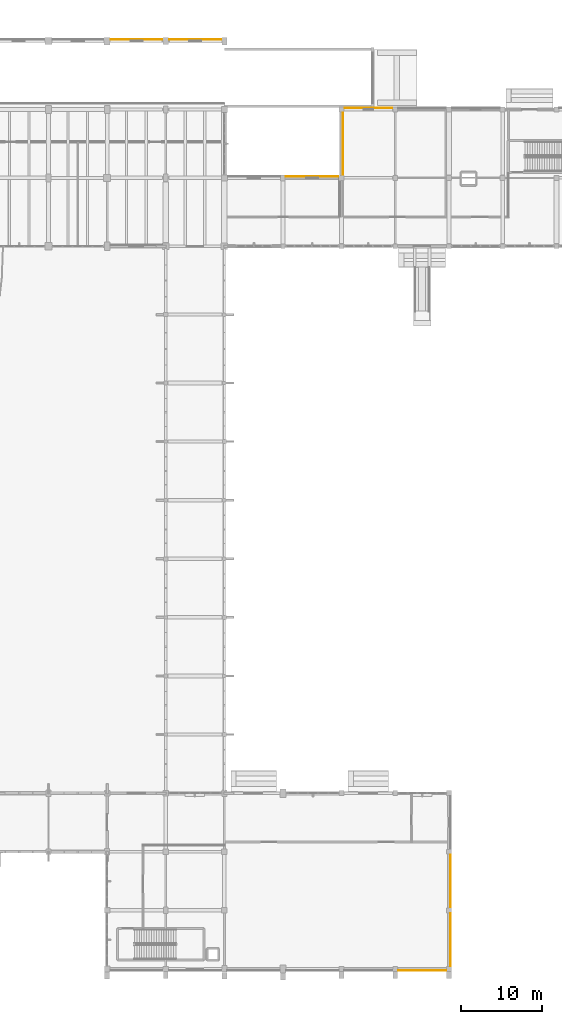
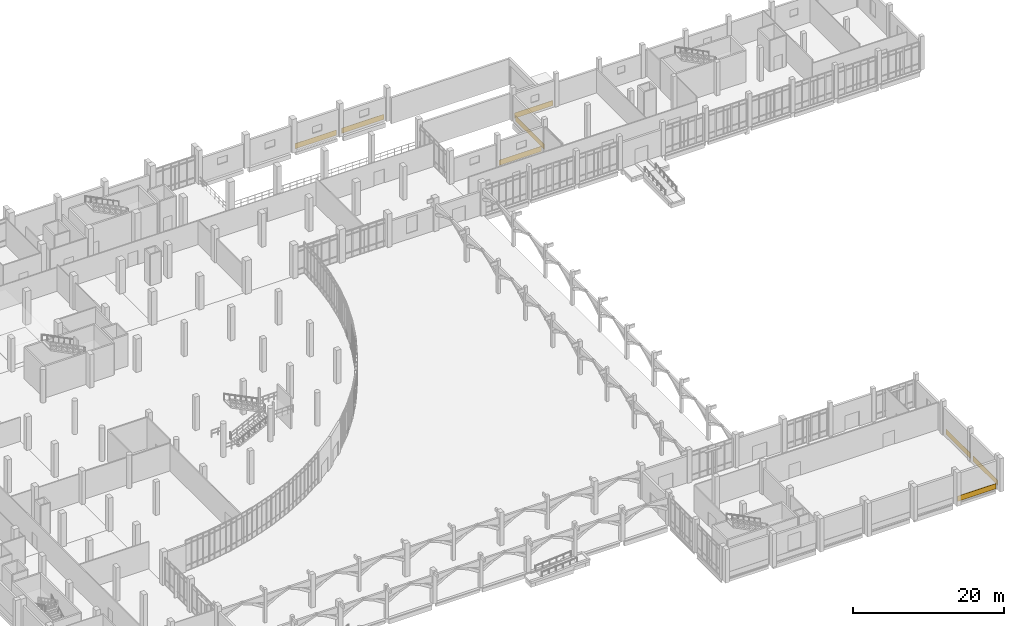
# One storey, part 108 of 110: 8 coverings.
"""IFC4 building model written with IfcOpenShell, lengths in metres."""

from ifc_helpers import new_model, si_unit, direction, frame, origin, origin_2d, place, context, subcontext, project, spatial, rectangle, extrude, material, layer, layer_set, type_object, element, save


model = new_model("IFC4")

# Units and contexts
model_context = context("Model", 3, precision=1e-05, world=origin(), true_north=direction((0.0, 1.0)))
body_context = subcontext(model_context, "Body", "Model", "MODEL_VIEW")
ifc_project = project(units=[si_unit("LENGTHUNIT", "METRE"), si_unit("AREAUNIT", "SQUARE_METRE"), si_unit("VOLUMEUNIT", "CUBIC_METRE"), si_unit("PLANEANGLEUNIT", "RADIAN"), si_unit("MASSUNIT", "GRAM", prefix="KILO")], contexts=[model_context])

# Site, building, storey
site_placement = place(None, origin())
site = spatial("IfcSite", under=ifc_project, at=site_placement, CompositionType="ELEMENT")
building_placement = place(site_placement, origin())
building = spatial("IfcBuilding", under=site, at=building_placement, Name="Kalluvel Institute of Natural Sciences", CompositionType="ELEMENT")
storey_placement = place(building_placement, origin())
storey = spatial("IfcBuildingStorey", under=building, at=storey_placement, Name="L00", CompositionType="ELEMENT", Elevation=0.0)

# Coverings
ifc_material = material(Name="Sadarahalli Grey Granite Ashlar Concrete M40", Category="masonry")
ifc_layer = layer(ifc_material, 0.044921875)
ifc_layer_set = layer_set([ifc_layer], Name="Sadarahalli Grey Granite Ashlar Concrete M40")
covering_type = type_object("IfcCoveringType", Name="COV-CLAD-STONE", PredefinedType="CLADDING", material=ifc_layer_set)
covering_1_placement = place(storey_placement, frame((104.02490234375, 128.199951171875, 0.02490234375), z_axis=(0.0, 0.0, 1.0), x_axis=(1.0, 0.0, 0.0)))
element("IfcCovering", 1, at=covering_1_placement, inside=storey, type_object=covering_type, Name="L00 Sadarahalli granite plinth spandrel cladding 8", PredefinedType="CLADDING", context=body_context, shape_type="SweptSolid", body=[
    extrude(rectangle(XDim=6.340087890625, YDim=0.044921875, at=origin_2d()), origin(), (0.0, 0.0, 1.0), 0.85009765625),
])
covering_2_placement = place(storey_placement, frame((111.21240234375, 128.199951171875, 0.02490234375), z_axis=(0.0, 0.0, 1.0), x_axis=(1.0, 0.0, 0.0)))
element("IfcCovering", 2, at=covering_2_placement, inside=storey, type_object=covering_type, Name="L00 Sadarahalli granite plinth spandrel cladding 9", PredefinedType="CLADDING", context=body_context, shape_type="SweptSolid", body=[
    extrude(rectangle(XDim=6.4150390625, YDim=0.044921875, at=origin_2d()), origin(), (0.0, 0.0, 1.0), 0.85009765625),
])
covering_3_placement = place(storey_placement, frame((125.58740234375, 111.3798828125, 0.02490234375), z_axis=(0.0, 0.0, 1.0), x_axis=(1.0, 0.0, 0.0)))
element("IfcCovering", 3, at=covering_3_placement, inside=storey, type_object=covering_type, Name="L00 Sadarahalli granite plinth spandrel cladding 337", PredefinedType="CLADDING", context=body_context, shape_type="SweptSolid", body=[
    extrude(rectangle(XDim=6.465087890625, YDim=0.044921875, at=origin_2d()), origin(), (0.0, 0.0, 1.0), 0.85009765625),
])
covering_4_placement = place(storey_placement, frame((132.5, 119.780029296875, 0.02490234375), z_axis=(0.0, 0.0, 1.0), x_axis=(1.0, 0.0, 0.0)))
element("IfcCovering", 4, at=covering_4_placement, inside=storey, type_object=covering_type, Name="L00 Sadarahalli granite plinth spandrel cladding 338", PredefinedType="CLADDING", context=body_context, shape_type="SweptSolid", body=[
    extrude(rectangle(XDim=5.840087890625, YDim=0.044921875, at=origin_2d()), origin(), (0.0, 0.0, 1.0), 0.85009765625),
])
covering_5_placement = place(storey_placement, frame((129.3798828125, 115.39990234375, 0.02490234375), z_axis=(0.0, 0.0, 1.0), x_axis=(0.0, 1.0, 0.0)))
element("IfcCovering", 5, at=covering_5_placement, inside=storey, type_object=covering_type, Name="L00 Sadarahalli granite plinth spandrel cladding 347", PredefinedType="CLADDING", context=body_context, shape_type="SweptSolid", body=[
    extrude(rectangle(XDim=7.639892578125, YDim=0.044921875, at=origin_2d()), origin(), (0.0, 0.0, 1.0), 0.85009765625),
])
covering_6_placement = place(storey_placement, frame((139.10009765625, 13.800048828125, 0.02490234375), z_axis=(0.0, 0.0, 1.0), x_axis=(1.0, 0.0, 0.0)))
element("IfcCovering", 6, at=covering_6_placement, inside=storey, type_object=covering_type, Name="L00 Sadarahalli granite plinth spandrel cladding 364", PredefinedType="CLADDING", context=body_context, shape_type="SweptSolid", body=[
    extrude(rectangle(XDim=5.8798828125, YDim=0.044921875, at=origin_2d()), origin(), (0.0, 0.0, 1.0), 0.85009765625),
])
for number, where, z_axis, x_axis, name in (
    (7, (142.60009765625, 17.60009765625, 0.02490234375), (0.0, 0.0, 1.0), (0.0, 1.0, 0.0), "L00 Sadarahalli granite plinth spandrel cladding 365"),
    (8, (142.60009765625, 24.800048828125, 0.02490234375), (0.0, 0.0, 1.0), (0.0, 1.0, 0.0), "L00 Sadarahalli granite plinth spandrel cladding 366"),
):
    element("IfcCovering", number, at=place(storey_placement, frame(where, z_axis=z_axis, x_axis=x_axis)), inside=storey, type_object=covering_type, Name=name, PredefinedType="CLADDING", context=body_context, shape_type="SweptSolid", body=[
        extrude(rectangle(XDim=6.47998046875, YDim=0.044921875, at=origin_2d()), origin(), (0.0, 0.0, 1.0), 0.85009765625),
    ])

save(model, "model.ifc")
